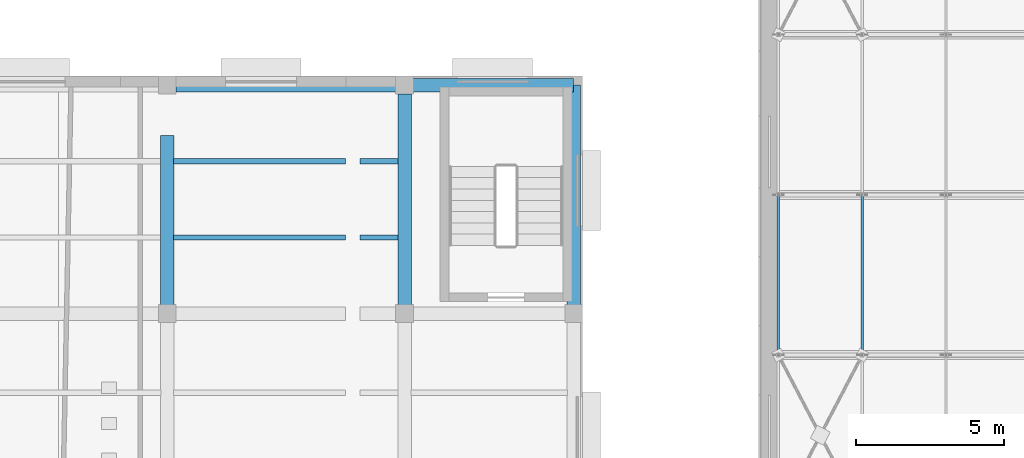
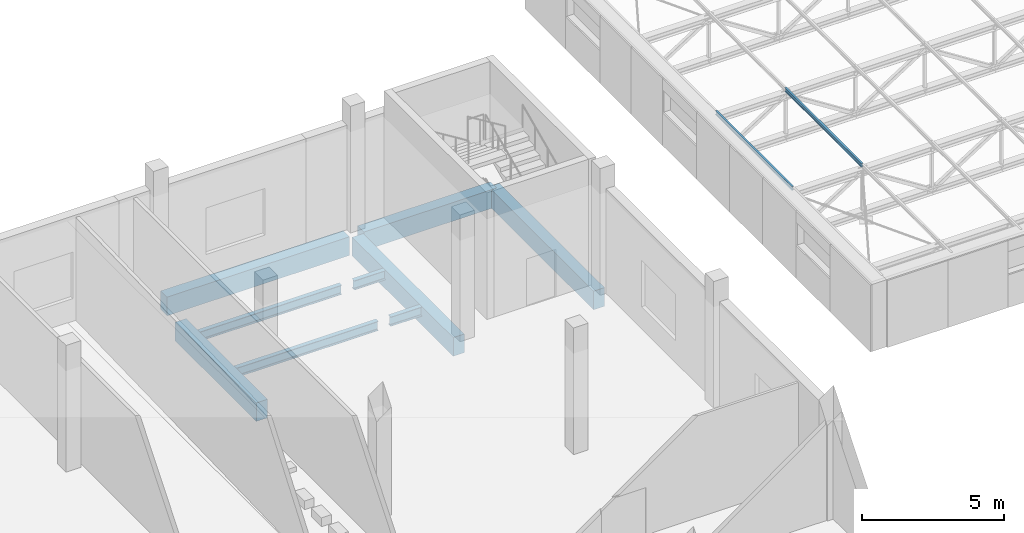
# One storey, part 27 of 132: 9 beams, 2 members.
"""IFC4 building model written with IfcOpenShell, lengths in metres."""

from ifc_helpers import new_model, si_unit, direction, frame, origin, origin_2d, place, context, subcontext, project, spatial, rectangle, i_section, extrude, material, material_profile, profile_set, type_object, element, save


model = new_model("IFC4")

# Units and contexts
model_context = context("Model", 3, precision=1e-05, world=origin(), true_north=direction((0.0, 1.0)))
body_context = subcontext(model_context, "Body", "Model", "MODEL_VIEW")
ifc_project = project(units=[si_unit("LENGTHUNIT", "METRE"), si_unit("AREAUNIT", "SQUARE_METRE"), si_unit("VOLUMEUNIT", "CUBIC_METRE"), si_unit("PLANEANGLEUNIT", "RADIAN"), si_unit("MASSUNIT", "GRAM", prefix="KILO")], contexts=[model_context])

# Site, building, storey
site_placement = place(None, origin())
site = spatial("IfcSite", under=ifc_project, at=site_placement, CompositionType="ELEMENT")
building_placement = place(site_placement, origin())
building = spatial("IfcBuilding", under=site, at=building_placement, Name="Lunette Opera House", CompositionType="ELEMENT")
storey_placement = place(building_placement, frame((0.0, 0.0, 17.0)))
storey = spatial("IfcBuildingStorey", under=building, at=storey_placement, Name="L03", CompositionType="ELEMENT", Elevation=17.0)

# Members
ifc_material_1 = material(Name="Steel S355", Category="steel")
ifc_material_profile_1 = material_profile(ifc_material_1, i_section(OverallWidth=0.08203125, OverallDepth=0.159912109375, WebThickness=0.0048828125, FlangeThickness=0.00732421875, FilletRadius=0.009033203125, at=origin_2d()), Name="IPE 160")
ifc_profile_set_1 = profile_set([ifc_material_profile_1], Name="Steel S355")
member_type = type_object("IfcMemberType", Name="PURLIN IPE 160", PredefinedType="PURLIN", material=ifc_profile_set_1)
for number, where, z_axis, x_axis, name in (
    (1, (60.60009765625, 102.60009765625, 2.800048828125), (0.0, 1.0, 0.0), (-1.0, 0.0, 0.0), "mem-ST-L03-SW-TR-PU1-3"),
    (2, (63.425048828125, 102.60009765625, 2.800048828125), (0.0, 1.0, 0.0), (-1.0, 0.0, 0.0), "mem-ST-L03-SW-TR-PU2-3"),
):
    element("IfcMember", number, at=place(storey_placement, frame(where, z_axis=z_axis, x_axis=x_axis)), inside=storey, type_object=member_type, Name=name, PredefinedType="PURLIN", context=body_context, shape_type="SweptSolid", body=[
        extrude(i_section(OverallWidth=0.08203125, OverallDepth=0.159912109375, WebThickness=0.0048828125, FlangeThickness=0.00732421875, FilletRadius=0.009033203125, at=origin_2d()), origin(), (0.0, 0.0, 1.0), 5.39990234375),
    ])

# Beams
ifc_material_2 = material(Name="Concrete C35/45", Category="concrete")
ifc_material_profile_2 = material_profile(ifc_material_2, rectangle(XDim=0.449951171875, YDim=0.800048828125, at=origin_2d()), Name="RC BEAM 450X800")
ifc_profile_set_2 = profile_set([ifc_material_profile_2], Name="Concrete C35/45")
beam_type_1 = type_object("IfcBeamType", Name="RC BEAM 450X800", PredefinedType="BEAM", material=ifc_profile_set_2)
beam_1_placement = place(storey_placement, frame((40.0, 104.2900390625, -0.550048828125), z_axis=(0.0, 1.0, 0.0), x_axis=(-1.0, 0.0, 0.0)))
element("IfcBeam", 3, at=beam_1_placement, inside=storey, type_object=beam_type_1, Name="beam-RW-L03-L03-GY45", PredefinedType="BEAM", context=body_context, shape_type="SweptSolid", body=[
    extrude(rectangle(XDim=0.449951171875, YDim=0.800048828125, at=origin_2d()), origin(), (0.0, 0.0, 1.0), 5.719970703125),
])
beam_2_placement = place(storey_placement, frame((48.0, 104.2900390625, -0.550048828125), z_axis=(0.0, 1.0, 0.0), x_axis=(-1.0, 0.0, 0.0)))
element("IfcBeam", 4, at=beam_2_placement, inside=storey, type_object=beam_type_1, Name="beam-RW-L03-L03-GY55", PredefinedType="BEAM", context=body_context, shape_type="SweptSolid", body=[
    extrude(rectangle(XDim=0.449951171875, YDim=0.800048828125, at=origin_2d()), origin(), (0.0, 0.0, 1.0), 7.119873046875),
])
beam_3_placement = place(storey_placement, frame((53.699951171875, 104.2900390625, -0.550048828125), z_axis=(0.0, 1.0, 0.0), x_axis=(-1.0, 0.0, 0.0)))
element("IfcBeam", 5, at=beam_3_placement, inside=storey, type_object=beam_type_1, Name="beam-RW-L03-L03-GY65", PredefinedType="BEAM", context=body_context, shape_type="SweptSolid", body=[
    extrude(rectangle(XDim=0.449951171875, YDim=0.800048828125, at=origin_2d()), origin(), (0.0, 0.0, 1.0), 7.409912109375),
])
beam_4_placement = place(storey_placement, frame((40.2900390625, 111.699951171875, -0.550048828125), z_axis=(1.0, 0.0, 0.0), x_axis=(0.0, 1.0, 0.0)))
element("IfcBeam", 6, at=beam_4_placement, inside=storey, type_object=beam_type_1, Name="beam-RW-L03-L03-GX46", PredefinedType="BEAM", context=body_context, shape_type="SweptSolid", body=[
    extrude(rectangle(XDim=0.449951171875, YDim=0.800048828125, at=origin_2d()), origin(), (0.0, 0.0, 1.0), 7.419921875),
])
beam_5_placement = place(storey_placement, frame((48.2900390625, 111.699951171875, -0.550048828125), z_axis=(1.0, 0.0, 0.0), x_axis=(0.0, 1.0, 0.0)))
element("IfcBeam", 7, at=beam_5_placement, inside=storey, type_object=beam_type_1, Name="beam-RW-L03-L03-GX56", PredefinedType="BEAM", context=body_context, shape_type="SweptSolid", body=[
    extrude(rectangle(XDim=0.449951171875, YDim=0.800048828125, at=origin_2d()), origin(), (0.0, 0.0, 1.0), 5.409912109375),
])
ifc_material_3 = material(Name="Steel S355", Category="steel")
ifc_material_profile_3 = material_profile(ifc_material_3, i_section(OverallWidth=0.179931640625, OverallDepth=0.39990234375, WebThickness=0.008544921875, FlangeThickness=0.013427734375, FilletRadius=0.02099609375, at=origin_2d()), Name="IPE 400")
ifc_profile_set_3 = profile_set([ifc_material_profile_3], Name="Steel S355")
beam_type_2 = type_object("IfcBeamType", Name="STEEL BEAM IPE 400", PredefinedType="BEAM", material=ifc_profile_set_3)
beam_6_placement = place(storey_placement, frame((40.215087890625, 106.56689453125, -0.35009765625), z_axis=(1.0, 0.0, 0.0), x_axis=(0.0, 1.0, 0.0)))
element("IfcBeam", 8, at=beam_6_placement, inside=storey, type_object=beam_type_2, Name="beam-RW-L03-L03-SX451", PredefinedType="BEAM", context=body_context, shape_type="SweptSolid", body=[
    extrude(i_section(OverallWidth=0.179931640625, OverallDepth=0.39990234375, WebThickness=0.008544921875, FlangeThickness=0.013427734375, FilletRadius=0.02099609375, at=origin_2d()), origin(), (0.0, 0.0, 1.0), 5.784912109375),
])
beam_7_placement = place(storey_placement, frame((46.5, 106.56689453125, -0.35009765625), z_axis=(1.0, 0.0, 0.0), x_axis=(0.0, 1.0, 0.0)))
element("IfcBeam", 9, at=beam_7_placement, inside=storey, type_object=beam_type_2, Name="beam-RW-L03-L03-SX451-01", PredefinedType="BEAM", context=body_context, shape_type="SweptSolid", body=[
    extrude(i_section(OverallWidth=0.179931640625, OverallDepth=0.39990234375, WebThickness=0.008544921875, FlangeThickness=0.013427734375, FilletRadius=0.02099609375, at=origin_2d()), origin(), (0.0, 0.0, 1.0), 1.284912109375),
])
beam_8_placement = place(storey_placement, frame((40.215087890625, 109.133056640625, -0.35009765625), z_axis=(1.0, 0.0, 0.0), x_axis=(0.0, 1.0, 0.0)))
element("IfcBeam", 10, at=beam_8_placement, inside=storey, type_object=beam_type_2, Name="beam-RW-L03-L03-SX452", PredefinedType="BEAM", context=body_context, shape_type="SweptSolid", body=[
    extrude(i_section(OverallWidth=0.179931640625, OverallDepth=0.39990234375, WebThickness=0.008544921875, FlangeThickness=0.013427734375, FilletRadius=0.02099609375, at=origin_2d()), origin(), (0.0, 0.0, 1.0), 5.784912109375),
])
beam_9_placement = place(storey_placement, frame((46.5, 109.133056640625, -0.35009765625), z_axis=(1.0, 0.0, 0.0), x_axis=(0.0, 1.0, 0.0)))
element("IfcBeam", 11, at=beam_9_placement, inside=storey, type_object=beam_type_2, Name="beam-RW-L03-L03-SX452-01", PredefinedType="BEAM", context=body_context, shape_type="SweptSolid", body=[
    extrude(i_section(OverallWidth=0.179931640625, OverallDepth=0.39990234375, WebThickness=0.008544921875, FlangeThickness=0.013427734375, FilletRadius=0.02099609375, at=origin_2d()), origin(), (0.0, 0.0, 1.0), 1.284912109375),
])

save(model, "model.ifc")
